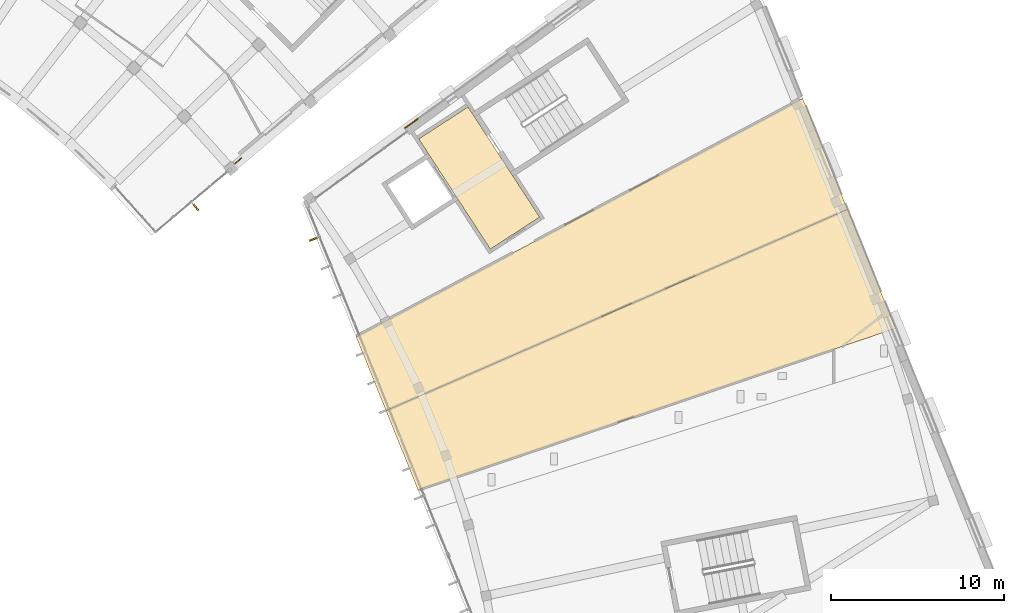
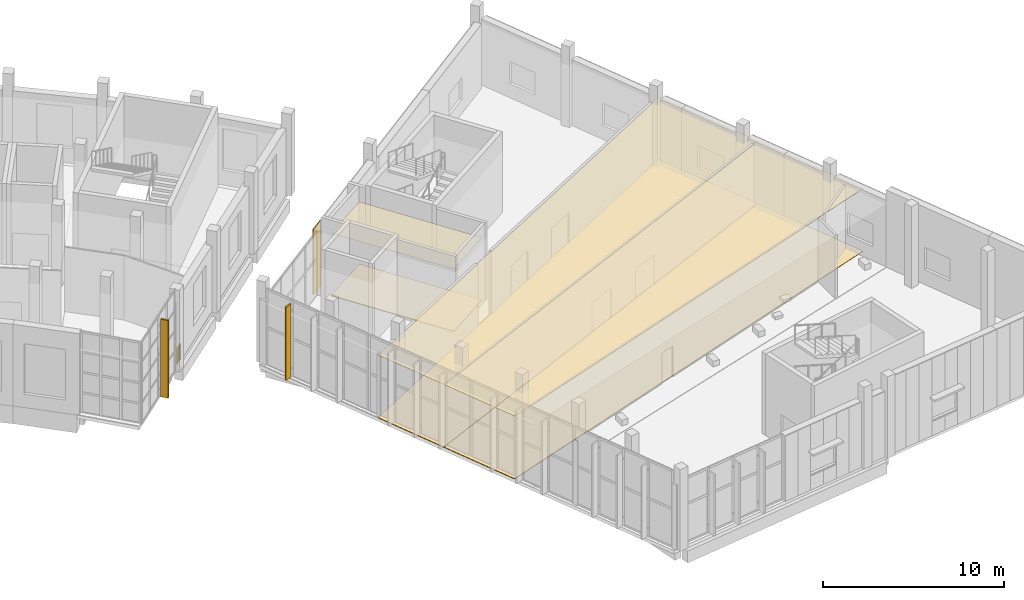
# One storey, part 76 of 87: 7 coverings, 2 shading devices, 1 railing.
"""IFC4 building model written with IfcOpenShell, lengths in metres."""

from ifc_helpers import new_model, si_unit, direction, frame, origin, origin_2d, place, context, subcontext, project, spatial, polyline, rectangle, circle, outline, extrude, material, layer, layer_set, type_object, element, save


model = new_model("IFC4")

# Units and contexts
model_context = context("Model", 3, precision=1e-05, world=origin(), true_north=direction((0.0, 1.0)))
body_context = subcontext(model_context, "Body", "Model", "MODEL_VIEW")
ifc_project = project(units=[si_unit("LENGTHUNIT", "METRE"), si_unit("AREAUNIT", "SQUARE_METRE"), si_unit("VOLUMEUNIT", "CUBIC_METRE"), si_unit("PLANEANGLEUNIT", "RADIAN"), si_unit("MASSUNIT", "GRAM", prefix="KILO")], contexts=[model_context])

# Site, building, storey
site_placement = place(None, origin())
site = spatial("IfcSite", under=ifc_project, at=site_placement, CompositionType="ELEMENT")
building_placement = place(site_placement, origin())
building = spatial("IfcBuilding", under=site, at=building_placement, Name="Lunette Opera House", CompositionType="ELEMENT")
storey_placement = place(building_placement, frame((0.0, 0.0, 11.5)))
storey = spatial("IfcBuildingStorey", under=building, at=storey_placement, Name="L02", CompositionType="ELEMENT", Elevation=11.5)

# Railing
ifc_material_1 = material(Name="Steel S355", Category="steel")
railing_type = type_object("IfcRailingType", Name="DECK GUARD 1100", PredefinedType="GUARDRAIL", material=ifc_material_1)
railing_placement = place(storey_placement, frame((140.659912109375, 37.5791015625, 0.0)))
element("IfcRailing", 1, at=railing_placement, inside=storey, type_object=railing_type, Name="Deck guard 018", PredefinedType="GUARDRAIL", context=body_context, shape_type="SweptSolid", body=[
    extrude(circle(Radius=0.02392578125, at=origin_2d()), frame((0.0, 0.0, 1.076171875), z_axis=(0.767567213213, 0.64096846506, 0.0), x_axis=(-0.64096846506, 0.767567213213, 0.0)), (0.0, 0.0, 1.0), 0.244873046875),
    extrude(circle(Radius=0.02392578125, at=origin_2d()), frame((0.18798828125, 0.156982421875, 1.076171875), z_axis=(0.765606918818, 0.643308670747, 0.0), x_axis=(-0.643308670747, 0.765606918818, 0.0)), (0.0, 0.0, 1.0), 0.24560546875),
    extrude(circle(Radius=0.02099609375, at=origin_2d()), origin(), (0.0, 0.0, 1.0), 1.052001953125),
    extrude(circle(Radius=0.02099609375, at=origin_2d()), frame((0.18798828125, 0.156982421875, 0.0)), (0.0, 0.0, 1.0), 1.052001953125),
    extrude(circle(Radius=0.02099609375, at=origin_2d()), frame((0.3759765625, 0.31494140625, 0.0)), (0.0, 0.0, 1.0), 1.052001953125),
])

# Shading devices
ifc_material_2 = material(Name="Powder-coated aluminium", Category="aluminium")
shading_device_type = type_object("IfcShadingDeviceType", Name="SOLAR FIN 100 X 450", PredefinedType="USERDEFINED", material=ifc_material_2)
shading_device_1_placement = place(storey_placement, frame((138.39208984375, 35.04296875, 0.115234375), z_axis=(0.0, 0.0, 1.0), x_axis=(0.642839751189, -0.76600068818, 0.0)))
element("IfcShadingDevice", 2, at=shading_device_1_placement, inside=storey, type_object=shading_device_type, Name="Solar fin FC-X2176 2", ObjectType="SOLAR FIN", PredefinedType="USERDEFINED", context=body_context, shape_type="SweptSolid", body=[
    extrude(rectangle(XDim=0.449951171875, YDim=0.10009765625, at=origin_2d()), origin(), (0.0, 0.0, 1.0), 5.235107421875),
])
shading_device_2_placement = place(storey_placement, frame((145.178955078125, 33.195068359375, 0.114501953125), z_axis=(0.0, 0.0, 1.0), x_axis=(-0.927168162269, -0.374645430874, 0.0)))
element("IfcShadingDevice", 3, at=shading_device_2_placement, inside=storey, type_object=shading_device_type, Name="Solar fin SB-X2013 1", ObjectType="SOLAR FIN", PredefinedType="USERDEFINED", context=body_context, shape_type="SweptSolid", body=[
    extrude(rectangle(XDim=0.449951171875, YDim=0.10009765625, at=origin_2d()), origin(), (0.0, 0.0, 1.0), 4.93505859375),
])

# Coverings
ifc_material_3 = material(Name="Aluminium standing seam cladding", Category="aluminium")
ifc_layer_1 = layer(ifc_material_3, 0.06005859375)
ifc_layer_set_1 = layer_set([ifc_layer_1], Name="Aluminium standing seam cladding")
covering_type_1 = type_object("IfcCoveringType", Name="STANDING SEAM CLADDING 60", PredefinedType="CLADDING", material=ifc_layer_set_1)
covering_1_placement = place(storey_placement, frame((150.85595703125, 39.89306640625, 0.0), z_axis=(0.0, 0.0, 1.0), x_axis=(-0.809046743824, -0.58774430351, 0.0)))
element("IfcCovering", 4, at=covering_1_placement, inside=storey, type_object=covering_type_1, Name="Standing Seam Cladding 60 SZ L02", PredefinedType="CLADDING", context=body_context, shape_type="SweptSolid", body=[
    extrude(rectangle(XDim=0.965087890625, YDim=0.06005859375, at=origin_2d()), origin(), (0.0, 0.0, 1.0), 4.39990234375),
])
ifc_material_4 = material(Name="Mineral fibre board")
ifc_layer_2 = layer(ifc_material_4, 0.014892578125)
ifc_layer_set_2 = layer_set([ifc_layer_2], Name="Mineral fibre board")
covering_type_2 = type_object("IfcCoveringType", Name="SUSPENDED ACOUSTIC CEILING 15", PredefinedType="CEILING", material=ifc_layer_set_2)
covering_2_placement = place(storey_placement, frame((0.0, 0.0, 4.235107421875)))
element("IfcCovering", 5, at=covering_2_placement, inside=storey, type_object=covering_type_2, Name="Ceiling Lift Lobby L02 Studio", PredefinedType="CEILING", context=body_context, shape_type="SweptSolid", body=[
    extrude(outline(polyline([(151.278076171875, 38.998046875), (155.4169921875, 32.6240234375), (158.26904296875, 34.47607421875), (154.1298828125, 40.85009765625), (151.278076171875, 38.998046875)])), origin(), (0.0, 0.0, 1.0), 0.014892578125),
])
covering_3_placement = place(storey_placement, frame((0.0, 0.0, 4.235107421875)))
element("IfcCovering", 6, at=covering_3_placement, inside=storey, type_object=covering_type_2, Name="Ceiling Studio Theatre Gallery", PredefinedType="CEILING", context=body_context, shape_type="SweptSolid", body=[
    extrude(outline(polyline([(147.653076171875, 27.56298828125), (173.48095703125, 41.345947265625), (176.074951171875, 34.924072265625), (149.383056640625, 23.282958984375), (147.653076171875, 27.56298828125)])), origin(), (0.0, 0.0, 1.0), 0.014892578125),
])
covering_4_placement = place(storey_placement, frame((0.0, 0.0, 4.235107421875)))
element("IfcCovering", 7, at=covering_4_placement, inside=storey, type_object=covering_type_2, Name="Ceiling Studio Rehearsal Room Upper", PredefinedType="CEILING", context=body_context, shape_type="SweptSolid", body=[
    extrude(outline(polyline([(149.383056640625, 23.282958984375), (176.074951171875, 34.924072265625), (178.85498046875, 28.0439453125), (151.236083984375, 18.696044921875), (149.383056640625, 23.282958984375)])), origin(), (0.0, 0.0, 1.0), 0.014892578125),
])
ifc_material_5 = material(Name="Terrazzo")
ifc_layer_3 = layer(ifc_material_5, 0.06005859375)
ifc_layer_set_3 = layer_set([ifc_layer_3], Name="Terrazzo")
covering_type_3 = type_object("IfcCoveringType", Name="TERRAZZO FLOOR FINISH 60", PredefinedType="FLOORING", material=ifc_layer_set_3)
covering_5_placement = place(storey_placement, origin())
element("IfcCovering", 8, at=covering_5_placement, inside=storey, type_object=covering_type_3, Name="Floor finish Lift Lobby L02 Studio", PredefinedType="FLOORING", context=body_context, shape_type="SweptSolid", body=[
    extrude(outline(polyline([(151.278076171875, 38.998046875), (155.4169921875, 32.6240234375), (158.26904296875, 34.47607421875), (154.1298828125, 40.85009765625), (151.278076171875, 38.998046875)])), origin(), (0.0, 0.0, 1.0), 0.06005859375),
])
ifc_material_6 = material(Name="Timber", Category="wood")
ifc_layer_4 = layer(ifc_material_6, 0.0400390625)
ifc_layer_set_4 = layer_set([ifc_layer_4], Name="Timber")
covering_type_4 = type_object("IfcCoveringType", Name="TIMBER FLOOR FINISH 40", PredefinedType="FLOORING", material=ifc_layer_set_4)
covering_6_placement = place(storey_placement, origin())
element("IfcCovering", 9, at=covering_6_placement, inside=storey, type_object=covering_type_4, Name="Floor finish Studio Theatre Gallery", PredefinedType="FLOORING", context=body_context, shape_type="SweptSolid", body=[
    extrude(outline(polyline([(147.653076171875, 27.56298828125), (173.48095703125, 41.345947265625), (176.074951171875, 34.924072265625), (149.383056640625, 23.282958984375), (147.653076171875, 27.56298828125)])), origin(), (0.0, 0.0, 1.0), 0.0400390625),
])
covering_7_placement = place(storey_placement, origin())
element("IfcCovering", 10, at=covering_7_placement, inside=storey, type_object=covering_type_4, Name="Floor finish Studio Rehearsal Room Upper", PredefinedType="FLOORING", context=body_context, shape_type="SweptSolid", body=[
    extrude(outline(polyline([(149.383056640625, 23.282958984375), (176.074951171875, 34.924072265625), (178.85498046875, 28.0439453125), (151.236083984375, 18.696044921875), (149.383056640625, 23.282958984375)])), origin(), (0.0, 0.0, 1.0), 0.0400390625),
])

save(model, "model.ifc")
